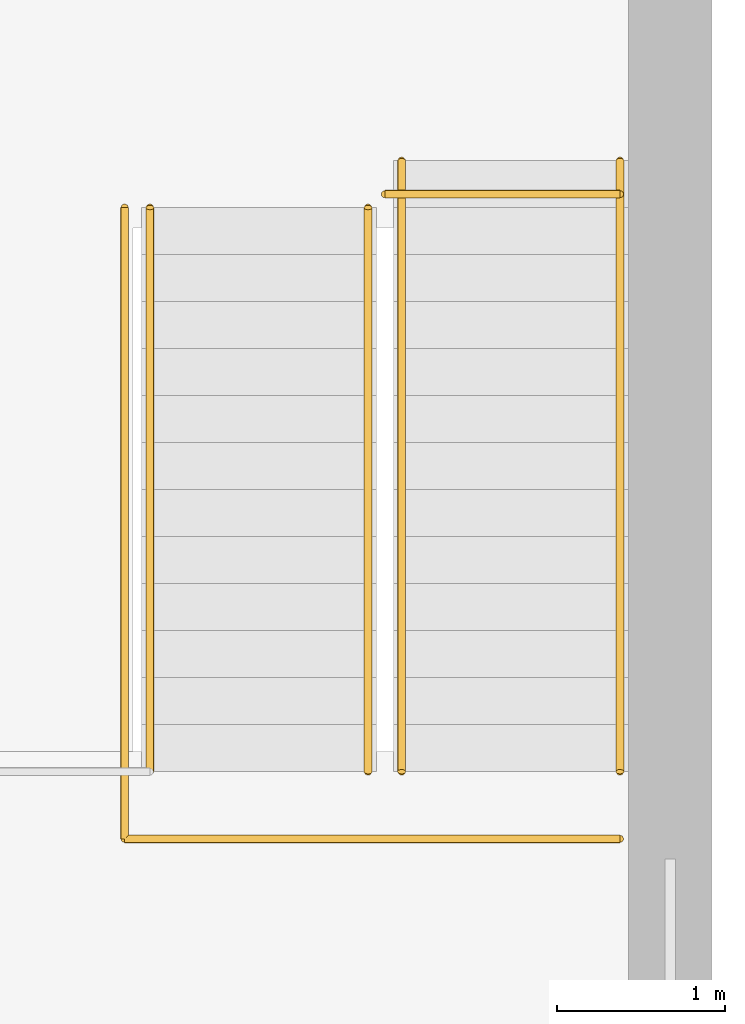
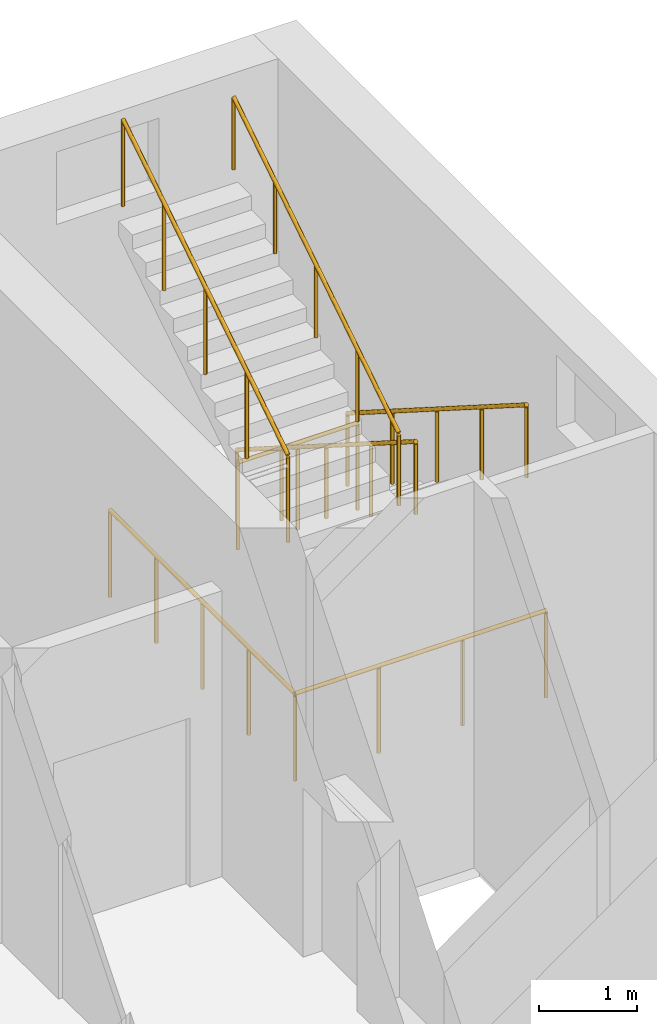
# One storey, part 35 of 35: 6 railings.
"""IFC4 building model written with IfcOpenShell, lengths in metres."""

from ifc_helpers import new_model, si_unit, direction, frame, origin, origin_2d, place, context, subcontext, project, spatial, circle, extrude, material, type_object, element, save


model = new_model("IFC4")

# Units and contexts
model_context = context("Model", 3, precision=1e-05, world=origin(), true_north=direction((0.0, 1.0)))
body_context = subcontext(model_context, "Body", "Model", "MODEL_VIEW")
ifc_project = project(units=[si_unit("LENGTHUNIT", "METRE"), si_unit("AREAUNIT", "SQUARE_METRE"), si_unit("VOLUMEUNIT", "CUBIC_METRE"), si_unit("PLANEANGLEUNIT", "RADIAN"), si_unit("MASSUNIT", "GRAM", prefix="KILO")], contexts=[model_context])

# Site, building, storey
site_placement = place(None, origin())
site = spatial("IfcSite", under=ifc_project, at=site_placement, CompositionType="ELEMENT")
building_placement = place(site_placement, origin())
building = spatial("IfcBuilding", under=site, at=building_placement, Name="Basin Gate Institute", CompositionType="ELEMENT")
storey_placement = place(building_placement, frame((0.0, 0.0, 31.800048828125)))
storey = spatial("IfcBuildingStorey", under=building, at=storey_placement, Name="L06", CompositionType="ELEMENT", Elevation=31.800048828125)

# Railings
ifc_material_1 = material(Name="Stainless steel", Category="steel")
railing_type_1 = type_object("IfcRailingType", Name="Stair guard GR1", PredefinedType="GUARDRAIL", material=ifc_material_1)
railing_1_placement = place(storey_placement, frame((115.550048828125, 97.8701171875, 0.0)))
element("IfcRailing", 1, at=railing_1_placement, inside=storey, type_object=railing_type_1, material=ifc_material_1, Name="Stair guard GR1 EN GD3-L05", PredefinedType="GUARDRAIL", context=body_context, shape_type="SweptSolid", body=[
    extrude(circle(Radius=0.02392578125, at=origin_2d()), frame((0.0, 0.0, 1.076171875), z_axis=(0.0, -1.0, 0.0), x_axis=(1.0, 0.0, 0.0)), (0.0, 0.0, 1.0), 3.760009765625),
    extrude(circle(Radius=0.02392578125, at=origin_2d()), frame((0.0, -3.760009765625, 1.076171875), z_axis=(1.0, 0.0, 0.0), x_axis=(0.0, 1.0, 0.0)), (0.0, 0.0, 1.0), 2.949951171875),
    extrude(circle(Radius=0.02099609375, at=origin_2d()), origin(), (0.0, 0.0, 1.0), 1.052001953125),
    extrude(circle(Radius=0.02099609375, at=origin_2d()), frame((0.0, -0.93994140625, 0.0)), (0.0, 0.0, 1.0), 1.052001953125),
    extrude(circle(Radius=0.02099609375, at=origin_2d()), frame((0.0, -1.8798828125, 0.0)), (0.0, 0.0, 1.0), 1.052001953125),
    extrude(circle(Radius=0.02099609375, at=origin_2d()), frame((0.0, -2.820068359375, 0.0)), (0.0, 0.0, 1.0), 1.052001953125),
    extrude(circle(Radius=0.02099609375, at=origin_2d()), frame((0.0, -3.760009765625, 0.0)), (0.0, 0.0, 1.0), 1.052001953125),
    extrude(circle(Radius=0.02099609375, at=origin_2d()), frame((0.9833984375, -3.760009765625, 0.0)), (0.0, 0.0, 1.0), 1.052001953125),
    extrude(circle(Radius=0.02099609375, at=origin_2d()), frame((1.966552734375, -3.760009765625, 0.0)), (0.0, 0.0, 1.0), 1.052001953125),
    extrude(circle(Radius=0.02099609375, at=origin_2d()), frame((2.949951171875, -3.760009765625, 0.0)), (0.0, 0.0, 1.0), 1.052001953125),
])
railing_2_placement = place(storey_placement, frame((118.5, 97.949951171875, 0.0)))
element("IfcRailing", 2, at=railing_2_placement, inside=storey, type_object=railing_type_1, material=ifc_material_1, Name="Stair guard GR1 EN GD4-L05", PredefinedType="GUARDRAIL", context=body_context, shape_type="SweptSolid", body=[
    extrude(circle(Radius=0.02392578125, at=origin_2d()), frame((0.0, 0.0, 1.076171875), z_axis=(-1.0, 0.0, 0.0), x_axis=(0.0, -1.0, 0.0)), (0.0, 0.0, 1.0), 1.39990234375),
    extrude(circle(Radius=0.02099609375, at=origin_2d()), origin(), (0.0, 0.0, 1.0), 1.052001953125),
    extrude(circle(Radius=0.02099609375, at=origin_2d()), frame((-0.699951171875, 0.0, 0.0)), (0.0, 0.0, 1.0), 1.052001953125),
    extrude(circle(Radius=0.02099609375, at=origin_2d()), frame((-1.39990234375, 0.0, 0.0)), (0.0, 0.0, 1.0), 1.052001953125),
])
railing_3_placement = place(storey_placement, frame((115.699951171875, 94.510009765625, 2.66650390625)))
element("IfcRailing", 3, at=railing_3_placement, inside=storey, type_object=railing_type_1, material=ifc_material_1, Name="Stair guard GR1 EN GD1", PredefinedType="GUARDRAIL", context=body_context, shape_type="SweptSolid", body=[
    extrude(circle(Radius=0.02392578125, at=origin_2d()), frame((0.0, 0.0, 1.076171875), z_axis=(0.0, 0.844196513831, 0.536033810533), x_axis=(-1.0, 0.0, 0.0)), (0.0, 0.0, 1.0), 3.980224609375),
    extrude(circle(Radius=0.02099609375, at=origin_2d()), origin(), (0.0, 0.0, 1.0), 1.052001953125),
    extrude(circle(Radius=0.02099609375, at=origin_2d()), frame((0.0, 0.840087890625, 0.533447265625)), (0.0, 0.0, 1.0), 1.052001953125),
    extrude(circle(Radius=0.02099609375, at=origin_2d()), frame((0.0, 1.68017578125, 1.06689453125)), (0.0, 0.0, 1.0), 1.052001953125),
    extrude(circle(Radius=0.02099609375, at=origin_2d()), frame((0.0, 2.52001953125, 1.60009765625)), (0.0, 0.0, 1.0), 1.052001953125),
    extrude(circle(Radius=0.02099609375, at=origin_2d()), frame((0.0, 3.360107421875, 2.133544921875)), (0.0, 0.0, 1.0), 1.052001953125),
])
ifc_material_2 = material(Name="Stainless steel", Category="steel")
railing_type_2 = type_object("IfcRailingType", Name="Stair handrail HR1", PredefinedType="HANDRAIL", material=ifc_material_2)
for number, where, name in (
    (4, (118.5, 98.14990234375, 0.177734375), "Stair handrail HR1 EN HR1"),
    (5, (117.199951171875, 98.14990234375, 0.177734375), "Stair handrail HR1 EN HR2"),
):
    element("IfcRailing", number, at=place(storey_placement, frame(where)), inside=storey, type_object=railing_type_2, material=ifc_material_2, Name=name, PredefinedType="HANDRAIL", context=body_context, shape_type="SweptSolid", body=[
        extrude(circle(Radius=0.02392578125, at=origin_2d()), frame((0.0, 0.0, 0.89599609375), z_axis=(0.0, -0.84421362867, 0.536006855523), x_axis=(1.0, 0.0, 0.0)), (0.0, 0.0, 1.0), 4.3115234375),
        extrude(circle(Radius=0.02099609375, at=origin_2d()), origin(), (0.0, 0.0, 1.0), 0.871826171875),
        extrude(circle(Radius=0.02099609375, at=origin_2d()), frame((0.0, -0.909912109375, 0.57763671875)), (0.0, 0.0, 1.0), 0.871826171875),
        extrude(circle(Radius=0.02099609375, at=origin_2d()), frame((0.0, -1.81982421875, 1.155517578125)), (0.0, 0.0, 1.0), 0.871826171875),
        extrude(circle(Radius=0.02099609375, at=origin_2d()), frame((0.0, -2.72998046875, 1.7333984375)), (0.0, 0.0, 1.0), 0.871826171875),
        extrude(circle(Radius=0.02099609375, at=origin_2d()), frame((0.0, -3.639892578125, 2.31103515625)), (0.0, 0.0, 1.0), 0.871826171875),
    ])
railing_4_placement = place(storey_placement, frame((117.0, 94.510009765625, 2.66650390625)))
element("IfcRailing", 6, at=railing_4_placement, inside=storey, type_object=railing_type_2, material=ifc_material_2, Name="Stair handrail HR1 EN HR3", PredefinedType="HANDRAIL", context=body_context, shape_type="SweptSolid", body=[
    extrude(circle(Radius=0.02392578125, at=origin_2d()), frame((0.0, 0.0, 0.89599609375), z_axis=(0.0, 0.844196513831, 0.536033810533), x_axis=(-1.0, 0.0, 0.0)), (0.0, 0.0, 1.0), 3.980224609375),
    extrude(circle(Radius=0.02099609375, at=origin_2d()), origin(), (0.0, 0.0, 1.0), 0.871826171875),
    extrude(circle(Radius=0.02099609375, at=origin_2d()), frame((0.0, 0.840087890625, 0.533447265625)), (0.0, 0.0, 1.0), 0.871826171875),
    extrude(circle(Radius=0.02099609375, at=origin_2d()), frame((0.0, 1.68017578125, 1.06689453125)), (0.0, 0.0, 1.0), 0.871826171875),
    extrude(circle(Radius=0.02099609375, at=origin_2d()), frame((0.0, 2.52001953125, 1.60009765625)), (0.0, 0.0, 1.0), 0.871826171875),
    extrude(circle(Radius=0.02099609375, at=origin_2d()), frame((0.0, 3.360107421875, 2.133544921875)), (0.0, 0.0, 1.0), 0.871826171875),
])

save(model, "model.ifc")
